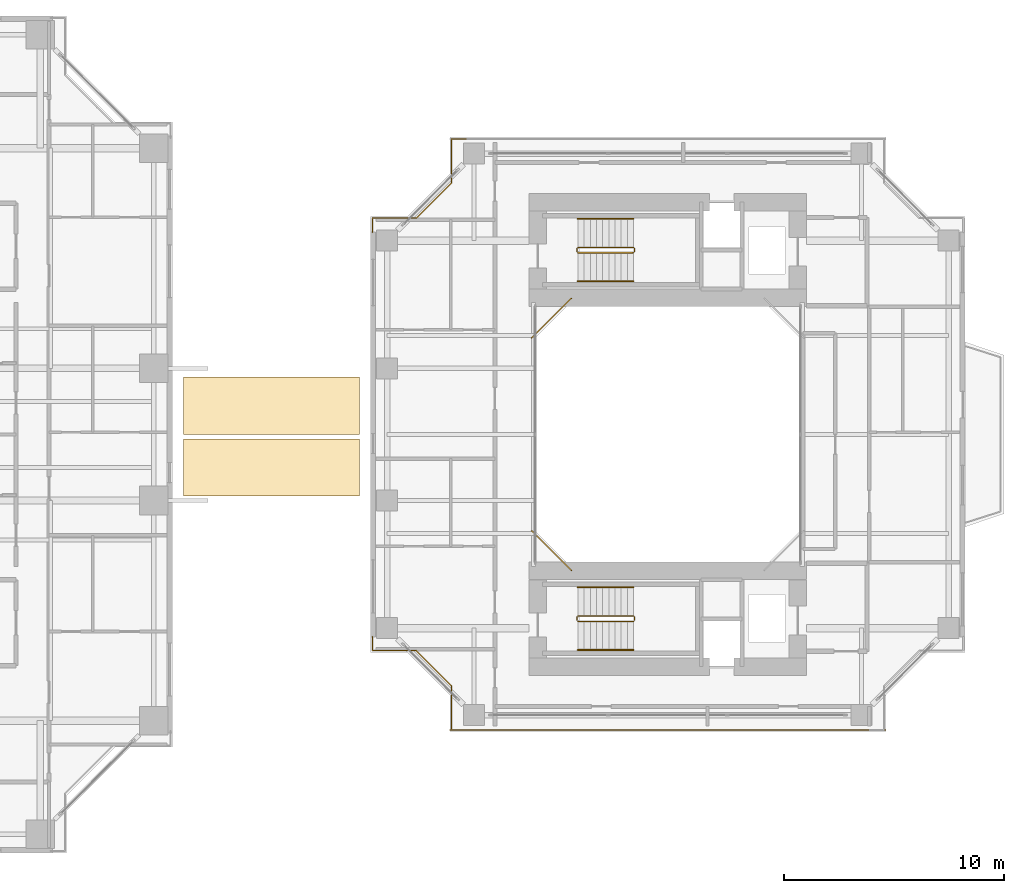
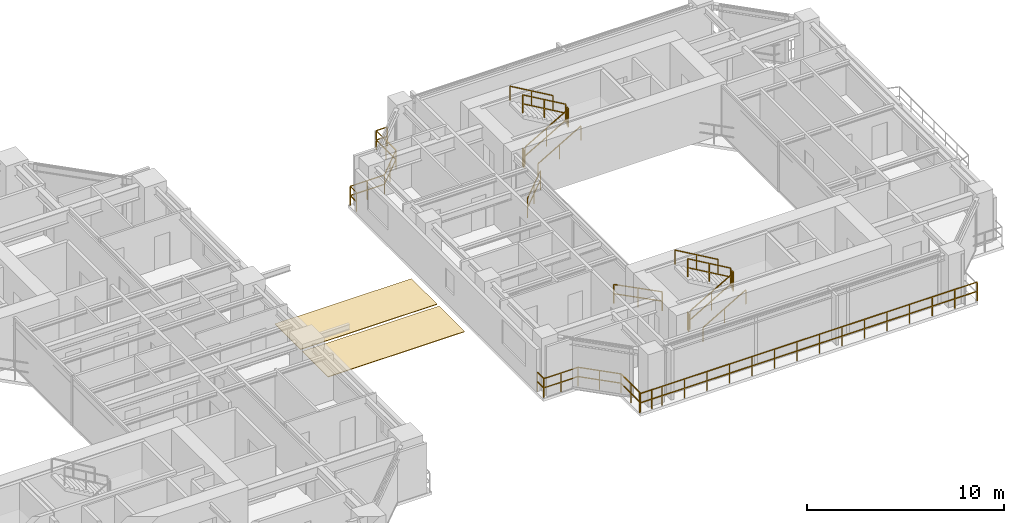
# One storey, part 21 of 23: 17 railings, 2 coverings.
"""IFC4 building model written with IfcOpenShell, lengths in metres."""

from ifc_helpers import new_model, si_unit, direction, frame, origin, origin_2d, place, context, subcontext, project, spatial, polyline, rectangle, outline, extrude, material, layer, layer_set, type_object, element, save


model = new_model("IFC4")

# Units and contexts
model_context = context("Model", 3, precision=1e-05, world=origin(), true_north=direction((0.0, 1.0)))
body_context = subcontext(model_context, "Body", "Model", "MODEL_VIEW")
ifc_project = project(units=[si_unit("LENGTHUNIT", "METRE"), si_unit("AREAUNIT", "SQUARE_METRE"), si_unit("VOLUMEUNIT", "CUBIC_METRE"), si_unit("PLANEANGLEUNIT", "RADIAN"), si_unit("MASSUNIT", "GRAM", prefix="KILO"), si_unit("THERMODYNAMICTEMPERATUREUNIT", "KELVIN"), si_unit("POWERUNIT", "WATT")], contexts=[model_context])

# Site, building, storey
site_placement = place(None, origin())
site = spatial("IfcSite", under=ifc_project, at=site_placement, CompositionType="ELEMENT")
building_placement = place(site_placement, origin())
building = spatial("IfcBuilding", under=site, at=building_placement, Name="Qiaomeng Ring Towers", CompositionType="ELEMENT")
storey_placement = place(building_placement, frame((0.0, 0.0, 50.25)))
storey = spatial("IfcBuildingStorey", under=building, at=storey_placement, Name="L13", CompositionType="ELEMENT", Elevation=50.25)

# Coverings
ifc_material_1 = material(Name="EPDM waterproofing membrane and XPS insulation", Category="membrane")
ifc_layer = layer(ifc_material_1, 0.0400390625, Name="EPDM waterproofing membrane and XPS insulation")
ifc_layer_set = layer_set([ifc_layer], Name="EPDM waterproofing membrane and XPS insulation")
covering_type = type_object("IfcCoveringType", Name="ARC-COV-ROOF", PredefinedType="ROOFING", material=ifc_layer_set)
covering_1_placement = place(storey_placement, origin())
element("IfcCovering", 1, at=covering_1_placement, inside=storey, type_object=covering_type, Name="Skybridge SB1 Roof Waterproofing 1", PredefinedType="ROOFING", context=body_context, shape_type="SweptSolid", body=[
    extrude(outline(polyline([(38.5, 20.199951171875), (46.5, 20.199951171875), (46.5, 22.800048828125), (38.5, 22.800048828125), (38.5, 20.199951171875)])), origin(), (0.0, 0.0, 1.0), 0.0400390625),
])
covering_2_placement = place(storey_placement, origin())
element("IfcCovering", 2, at=covering_2_placement, inside=storey, type_object=covering_type, Name="Skybridge SB1 Roof Waterproofing 2", PredefinedType="ROOFING", context=body_context, shape_type="SweptSolid", body=[
    extrude(outline(polyline([(38.5, 23.0), (46.5, 23.0), (46.5, 25.60009765625), (38.5, 25.60009765625), (38.5, 23.0)])), origin(), (0.0, 0.0, 1.0), 0.0400390625),
])

# Railings
ifc_material_2 = material(Name="Low-E pale-green laminated safety glass", Category="glass")
railing_type_1 = type_object("IfcRailingType", Name="ARC-RL-BAL1", PredefinedType="BALUSTRADE", material=ifc_material_2)
railing_1_placement = place(storey_placement, frame((56.1201171875, 29.179931640625, 0.0)))
element("IfcRailing", 3, at=railing_1_placement, inside=storey, type_object=railing_type_1, Name="L13 Balustrade ARC-BAL-WELL2-L13-3", PredefinedType="BALUSTRADE", context=body_context, shape_type="SweptSolid", body=[
    extrude(rectangle(XDim=0.048095703125, YDim=0.048095703125, at=origin_2d()), frame((0.0, 0.0, 1.17578125), z_axis=(-0.707106781187, -0.707106781187, 0.0), x_axis=(0.707106781187, -0.707106781187, 0.0)), (0.0, 0.0, 1.0), 2.545654296875),
    extrude(rectangle(XDim=0.048095703125, YDim=0.048095703125, at=origin_2d()), frame((0.0, 0.0, 0.60009765625), z_axis=(-0.707106781187, -0.707106781187, 0.0), x_axis=(0.707106781187, -0.707106781187, 0.0)), (0.0, 0.0, 1.0), 2.545654296875),
    extrude(rectangle(XDim=0.0419921875, YDim=0.0419921875, at=origin_2d()), origin(), (0.0, 0.0, 1.0), 1.15185546875),
    extrude(rectangle(XDim=0.0419921875, YDim=0.0419921875, at=origin_2d()), frame((-0.89990234375, -0.89990234375, 0.0)), (0.0, 0.0, 1.0), 1.15185546875),
    extrude(rectangle(XDim=0.0419921875, YDim=0.0419921875, at=origin_2d()), frame((-1.800048828125, -1.800048828125, 0.0)), (0.0, 0.0, 1.0), 1.15185546875),
])
railing_2_placement = place(storey_placement, frame((54.320068359375, 18.6201171875, 0.0)))
element("IfcRailing", 4, at=railing_2_placement, inside=storey, type_object=railing_type_1, Name="L13 Balustrade ARC-BAL-WELL2-L13-4", PredefinedType="BALUSTRADE", context=body_context, shape_type="SweptSolid", body=[
    extrude(rectangle(XDim=0.048095703125, YDim=0.048095703125, at=origin_2d()), frame((0.0, 0.0, 1.17578125), z_axis=(0.707106781187, -0.707106781187, 0.0), x_axis=(0.707106781187, 0.707106781187, 0.0)), (0.0, 0.0, 1.0), 2.545654296875),
    extrude(rectangle(XDim=0.048095703125, YDim=0.048095703125, at=origin_2d()), frame((0.0, 0.0, 0.60009765625), z_axis=(0.707106781187, -0.707106781187, 0.0), x_axis=(0.707106781187, 0.707106781187, 0.0)), (0.0, 0.0, 1.0), 2.545654296875),
    extrude(rectangle(XDim=0.0419921875, YDim=0.0419921875, at=origin_2d()), origin(), (0.0, 0.0, 1.0), 1.15185546875),
    extrude(rectangle(XDim=0.0419921875, YDim=0.0419921875, at=origin_2d()), frame((0.89990234375, -0.89990234375, 0.0)), (0.0, 0.0, 1.0), 1.15185546875),
    extrude(rectangle(XDim=0.0419921875, YDim=0.0419921875, at=origin_2d()), frame((1.800048828125, -1.800048828125, 0.0)), (0.0, 0.0, 1.0), 1.15185546875),
])
railing_3_placement = place(storey_placement, frame((51.330078125, 36.419921875, 0.0)))
element("IfcRailing", 5, at=railing_3_placement, inside=storey, type_object=railing_type_1, Name="L13 Balustrade ARC-BAL-NOTCH2-L13-NW", PredefinedType="BALUSTRADE", context=body_context, shape_type="SweptSolid", body=[
    extrude(rectangle(XDim=0.048095703125, YDim=0.048095703125, at=origin_2d()), frame((0.0, 0.0, 1.17578125), z_axis=(-1.0, 0.0, 0.0), x_axis=(0.0, -1.0, 0.0)), (0.0, 0.0, 1.0), 0.650146484375),
    extrude(rectangle(XDim=0.048095703125, YDim=0.048095703125, at=origin_2d()), frame((0.0, 0.0, 0.60009765625), z_axis=(-1.0, 0.0, 0.0), x_axis=(0.0, -1.0, 0.0)), (0.0, 0.0, 1.0), 0.650146484375),
    extrude(rectangle(XDim=0.048095703125, YDim=0.048095703125, at=origin_2d()), frame((-0.650146484375, 0.0, 1.17578125), z_axis=(0.0, -1.0, 0.0), x_axis=(1.0, 0.0, 0.0)), (0.0, 0.0, 1.0), 2.0),
    extrude(rectangle(XDim=0.048095703125, YDim=0.048095703125, at=origin_2d()), frame((-0.650146484375, 0.0, 0.60009765625), z_axis=(0.0, -1.0, 0.0), x_axis=(1.0, 0.0, 0.0)), (0.0, 0.0, 1.0), 2.0),
    extrude(rectangle(XDim=0.048095703125, YDim=0.048095703125, at=origin_2d()), frame((-0.650146484375, -2.0, 1.17578125), z_axis=(-0.707106781187, -0.707106781187, 0.0), x_axis=(0.707106781187, -0.707106781187, 0.0)), (0.0, 0.0, 1.0), 2.262451171875),
    extrude(rectangle(XDim=0.048095703125, YDim=0.048095703125, at=origin_2d()), frame((-0.650146484375, -2.0, 0.60009765625), z_axis=(-0.707106781187, -0.707106781187, 0.0), x_axis=(0.707106781187, -0.707106781187, 0.0)), (0.0, 0.0, 1.0), 2.262451171875),
    extrude(rectangle(XDim=0.048095703125, YDim=0.048095703125, at=origin_2d()), frame((-2.25, -3.599853515625, 1.17578125), z_axis=(-1.0, 0.0, 0.0), x_axis=(0.0, -1.0, 0.0)), (0.0, 0.0, 1.0), 2.0),
    extrude(rectangle(XDim=0.048095703125, YDim=0.048095703125, at=origin_2d()), frame((-2.25, -3.599853515625, 0.60009765625), z_axis=(-1.0, 0.0, 0.0), x_axis=(0.0, -1.0, 0.0)), (0.0, 0.0, 1.0), 2.0),
    extrude(rectangle(XDim=0.048095703125, YDim=0.048095703125, at=origin_2d()), frame((-4.25, -3.599853515625, 1.17578125), z_axis=(0.0, -1.0, 0.0), x_axis=(1.0, 0.0, 0.0)), (0.0, 0.0, 1.0), 0.650146484375),
    extrude(rectangle(XDim=0.048095703125, YDim=0.048095703125, at=origin_2d()), frame((-4.25, -3.599853515625, 0.60009765625), z_axis=(0.0, -1.0, 0.0), x_axis=(1.0, 0.0, 0.0)), (0.0, 0.0, 1.0), 0.650146484375),
    extrude(rectangle(XDim=0.0419921875, YDim=0.0419921875, at=origin_2d()), origin(), (0.0, 0.0, 1.0), 1.15185546875),
    extrude(rectangle(XDim=0.0419921875, YDim=0.0419921875, at=origin_2d()), frame((-0.650146484375, 0.0, 0.0)), (0.0, 0.0, 1.0), 1.15185546875),
    extrude(rectangle(XDim=0.0419921875, YDim=0.0419921875, at=origin_2d()), frame((-0.650146484375, -1.0, 0.0)), (0.0, 0.0, 1.0), 1.15185546875),
    extrude(rectangle(XDim=0.0419921875, YDim=0.0419921875, at=origin_2d()), frame((-0.650146484375, -2.0, 0.0)), (0.0, 0.0, 1.0), 1.15185546875),
    extrude(rectangle(XDim=0.0419921875, YDim=0.0419921875, at=origin_2d()), frame((-1.4501953125, -2.7998046875, 0.0)), (0.0, 0.0, 1.0), 1.15185546875),
    extrude(rectangle(XDim=0.0419921875, YDim=0.0419921875, at=origin_2d()), frame((-2.25, -3.599853515625, 0.0)), (0.0, 0.0, 1.0), 1.15185546875),
    extrude(rectangle(XDim=0.0419921875, YDim=0.0419921875, at=origin_2d()), frame((-3.25, -3.599853515625, 0.0)), (0.0, 0.0, 1.0), 1.15185546875),
    extrude(rectangle(XDim=0.0419921875, YDim=0.0419921875, at=origin_2d()), frame((-4.25, -3.599853515625, 0.0)), (0.0, 0.0, 1.0), 1.15185546875),
    extrude(rectangle(XDim=0.0419921875, YDim=0.0419921875, at=origin_2d()), frame((-4.25, -4.25, 0.0)), (0.0, 0.0, 1.0), 1.15185546875),
])
railing_4_placement = place(storey_placement, frame((47.080078125, 13.830078125, 0.0)))
element("IfcRailing", 6, at=railing_4_placement, inside=storey, type_object=railing_type_1, Name="L13 Balustrade ARC-BAL-NOTCH2-L13-SW", PredefinedType="BALUSTRADE", context=body_context, shape_type="SweptSolid", body=[
    extrude(rectangle(XDim=0.048095703125, YDim=0.048095703125, at=origin_2d()), frame((0.0, 0.0, 1.17578125), z_axis=(0.0, -1.0, 0.0), x_axis=(1.0, 0.0, 0.0)), (0.0, 0.0, 1.0), 0.650146484375),
    extrude(rectangle(XDim=0.048095703125, YDim=0.048095703125, at=origin_2d()), frame((0.0, 0.0, 0.60009765625), z_axis=(0.0, -1.0, 0.0), x_axis=(1.0, 0.0, 0.0)), (0.0, 0.0, 1.0), 0.650146484375),
    extrude(rectangle(XDim=0.048095703125, YDim=0.048095703125, at=origin_2d()), frame((0.0, -0.650146484375, 1.17578125), z_axis=(1.0, 0.0, 0.0), x_axis=(0.0, 1.0, 0.0)), (0.0, 0.0, 1.0), 2.0),
    extrude(rectangle(XDim=0.048095703125, YDim=0.048095703125, at=origin_2d()), frame((0.0, -0.650146484375, 0.60009765625), z_axis=(1.0, 0.0, 0.0), x_axis=(0.0, 1.0, 0.0)), (0.0, 0.0, 1.0), 2.0),
    extrude(rectangle(XDim=0.048095703125, YDim=0.048095703125, at=origin_2d()), frame((2.0, -0.650146484375, 1.17578125), z_axis=(0.707106781187, -0.707106781187, 0.0), x_axis=(0.707106781187, 0.707106781187, 0.0)), (0.0, 0.0, 1.0), 2.262451171875),
    extrude(rectangle(XDim=0.048095703125, YDim=0.048095703125, at=origin_2d()), frame((2.0, -0.650146484375, 0.60009765625), z_axis=(0.707106781187, -0.707106781187, 0.0), x_axis=(0.707106781187, 0.707106781187, 0.0)), (0.0, 0.0, 1.0), 2.262451171875),
    extrude(rectangle(XDim=0.048095703125, YDim=0.048095703125, at=origin_2d()), frame((3.599853515625, -2.25, 1.17578125), z_axis=(0.0, -1.0, 0.0), x_axis=(1.0, 0.0, 0.0)), (0.0, 0.0, 1.0), 2.0),
    extrude(rectangle(XDim=0.048095703125, YDim=0.048095703125, at=origin_2d()), frame((3.599853515625, -2.25, 0.60009765625), z_axis=(0.0, -1.0, 0.0), x_axis=(1.0, 0.0, 0.0)), (0.0, 0.0, 1.0), 2.0),
    extrude(rectangle(XDim=0.048095703125, YDim=0.048095703125, at=origin_2d()), frame((3.599853515625, -4.25, 1.17578125), z_axis=(1.0, 0.0, 0.0), x_axis=(0.0, 1.0, 0.0)), (0.0, 0.0, 1.0), 0.650146484375),
    extrude(rectangle(XDim=0.048095703125, YDim=0.048095703125, at=origin_2d()), frame((3.599853515625, -4.25, 0.60009765625), z_axis=(1.0, 0.0, 0.0), x_axis=(0.0, 1.0, 0.0)), (0.0, 0.0, 1.0), 0.650146484375),
    extrude(rectangle(XDim=0.0419921875, YDim=0.0419921875, at=origin_2d()), origin(), (0.0, 0.0, 1.0), 1.15185546875),
    extrude(rectangle(XDim=0.0419921875, YDim=0.0419921875, at=origin_2d()), frame((0.0, -0.650146484375, 0.0)), (0.0, 0.0, 1.0), 1.15185546875),
    extrude(rectangle(XDim=0.0419921875, YDim=0.0419921875, at=origin_2d()), frame((1.0, -0.650146484375, 0.0)), (0.0, 0.0, 1.0), 1.15185546875),
    extrude(rectangle(XDim=0.0419921875, YDim=0.0419921875, at=origin_2d()), frame((2.0, -0.650146484375, 0.0)), (0.0, 0.0, 1.0), 1.15185546875),
    extrude(rectangle(XDim=0.0419921875, YDim=0.0419921875, at=origin_2d()), frame((2.7998046875, -1.4501953125, 0.0)), (0.0, 0.0, 1.0), 1.15185546875),
    extrude(rectangle(XDim=0.0419921875, YDim=0.0419921875, at=origin_2d()), frame((3.599853515625, -2.25, 0.0)), (0.0, 0.0, 1.0), 1.15185546875),
    extrude(rectangle(XDim=0.0419921875, YDim=0.0419921875, at=origin_2d()), frame((3.599853515625, -3.25, 0.0)), (0.0, 0.0, 1.0), 1.15185546875),
    extrude(rectangle(XDim=0.0419921875, YDim=0.0419921875, at=origin_2d()), frame((3.599853515625, -4.25, 0.0)), (0.0, 0.0, 1.0), 1.15185546875),
    extrude(rectangle(XDim=0.0419921875, YDim=0.0419921875, at=origin_2d()), frame((4.25, -4.25, 0.0)), (0.0, 0.0, 1.0), 1.15185546875),
])
railing_5_placement = place(storey_placement, frame((50.60009765625, 9.580078125, 0.0)))
element("IfcRailing", 7, at=railing_5_placement, inside=storey, type_object=railing_type_1, Name="L13 Balustrade ARC-BAL-T2S-L13", PredefinedType="BALUSTRADE", context=body_context, shape_type="SweptSolid", body=[
    extrude(rectangle(XDim=0.048095703125, YDim=0.048095703125, at=origin_2d()), frame((0.0, 0.0, 1.17578125), z_axis=(1.0, 0.0, 0.0), x_axis=(0.0, 1.0, 0.0)), (0.0, 0.0, 1.0), 19.7998046875),
    extrude(rectangle(XDim=0.048095703125, YDim=0.048095703125, at=origin_2d()), frame((0.0, 0.0, 0.60009765625), z_axis=(1.0, 0.0, 0.0), x_axis=(0.0, 1.0, 0.0)), (0.0, 0.0, 1.0), 19.7998046875),
    extrude(rectangle(XDim=0.0419921875, YDim=0.0419921875, at=origin_2d()), origin(), (0.0, 0.0, 1.0), 1.15185546875),
    extrude(rectangle(XDim=0.0419921875, YDim=0.0419921875, at=origin_2d()), frame((1.320068359375, 0.0, 0.0)), (0.0, 0.0, 1.0), 1.15185546875),
    extrude(rectangle(XDim=0.0419921875, YDim=0.0419921875, at=origin_2d()), frame((2.639892578125, 0.0, 0.0)), (0.0, 0.0, 1.0), 1.15185546875),
    extrude(rectangle(XDim=0.0419921875, YDim=0.0419921875, at=origin_2d()), frame((3.9599609375, 0.0, 0.0)), (0.0, 0.0, 1.0), 1.15185546875),
    extrude(rectangle(XDim=0.0419921875, YDim=0.0419921875, at=origin_2d()), frame((5.280029296875, 0.0, 0.0)), (0.0, 0.0, 1.0), 1.15185546875),
    extrude(rectangle(XDim=0.0419921875, YDim=0.0419921875, at=origin_2d()), frame((6.599853515625, 0.0, 0.0)), (0.0, 0.0, 1.0), 1.15185546875),
    extrude(rectangle(XDim=0.0419921875, YDim=0.0419921875, at=origin_2d()), frame((7.919921875, 0.0, 0.0)), (0.0, 0.0, 1.0), 1.15185546875),
    extrude(rectangle(XDim=0.0419921875, YDim=0.0419921875, at=origin_2d()), frame((9.239990234375, 0.0, 0.0)), (0.0, 0.0, 1.0), 1.15185546875),
    extrude(rectangle(XDim=0.0419921875, YDim=0.0419921875, at=origin_2d()), frame((10.559814453125, 0.0, 0.0)), (0.0, 0.0, 1.0), 1.15185546875),
    extrude(rectangle(XDim=0.0419921875, YDim=0.0419921875, at=origin_2d()), frame((11.8798828125, 0.0, 0.0)), (0.0, 0.0, 1.0), 1.15185546875),
    extrude(rectangle(XDim=0.0419921875, YDim=0.0419921875, at=origin_2d()), frame((13.199951171875, 0.0, 0.0)), (0.0, 0.0, 1.0), 1.15185546875),
    extrude(rectangle(XDim=0.0419921875, YDim=0.0419921875, at=origin_2d()), frame((14.519775390625, 0.0, 0.0)), (0.0, 0.0, 1.0), 1.15185546875),
    extrude(rectangle(XDim=0.0419921875, YDim=0.0419921875, at=origin_2d()), frame((15.83984375, 0.0, 0.0)), (0.0, 0.0, 1.0), 1.15185546875),
    extrude(rectangle(XDim=0.0419921875, YDim=0.0419921875, at=origin_2d()), frame((17.159912109375, 0.0, 0.0)), (0.0, 0.0, 1.0), 1.15185546875),
    extrude(rectangle(XDim=0.0419921875, YDim=0.0419921875, at=origin_2d()), frame((18.479736328125, 0.0, 0.0)), (0.0, 0.0, 1.0), 1.15185546875),
    extrude(rectangle(XDim=0.0419921875, YDim=0.0419921875, at=origin_2d()), frame((19.7998046875, 0.0, 0.0)), (0.0, 0.0, 1.0), 1.15185546875),
])
ifc_material_3 = material(Name="Galvanised steel", Category="steel")
railing_type_2 = type_object("IfcRailingType", Name="ARC-RL-GUARD", PredefinedType="GUARDRAIL", material=ifc_material_3)
railing_6_placement = place(storey_placement, frame((56.419921875, 31.25, 0.16259765625)))
element("IfcRailing", 8, at=railing_6_placement, inside=storey, type_object=railing_type_2, Name="L13 ST5 stair guard 1", PredefinedType="GUARDRAIL", context=body_context, shape_type="SweptSolid", body=[
    extrude(rectangle(XDim=0.048095703125, YDim=0.048095703125, at=origin_2d()), frame((0.0, 0.0, 1.1259765625), z_axis=(0.864913338283, 0.0, 0.50192122615), x_axis=(0.0, 1.0, 0.0)), (0.0, 0.0, 1.0), 2.91357421875),
    extrude(rectangle(XDim=0.048095703125, YDim=0.048095703125, at=origin_2d()), frame((0.0, 0.0, 0.574951171875), z_axis=(0.864913338283, 0.0, 0.50192122615), x_axis=(0.0, 1.0, 0.0)), (0.0, 0.0, 1.0), 2.91357421875),
    extrude(rectangle(XDim=0.0419921875, YDim=0.0419921875, at=origin_2d()), origin(), (0.0, 0.0, 1.0), 1.101806640625),
    extrude(rectangle(XDim=0.0419921875, YDim=0.0419921875, at=origin_2d()), frame((1.260009765625, 0.0, 0.731201171875)), (0.0, 0.0, 1.0), 1.101806640625),
    extrude(rectangle(XDim=0.0419921875, YDim=0.0419921875, at=origin_2d()), frame((2.52001953125, 0.0, 1.46240234375)), (0.0, 0.0, 1.0), 1.101806640625),
])
railing_7_placement = place(storey_placement, frame((58.989990234375, 31.300048828125, 1.625)))
element("IfcRailing", 9, at=railing_7_placement, inside=storey, type_object=railing_type_2, Name="L13 ST5 stair guard 2", PredefinedType="GUARDRAIL", context=body_context, shape_type="SweptSolid", body=[
    extrude(rectangle(XDim=0.048095703125, YDim=0.048095703125, at=origin_2d()), frame((0.0, 0.0, 1.1259765625), z_axis=(0.0, 1.0, 0.0), x_axis=(-1.0, 0.0, 0.0)), (0.0, 0.0, 1.0), 0.139892578125),
    extrude(rectangle(XDim=0.048095703125, YDim=0.048095703125, at=origin_2d()), frame((0.0, 0.0, 0.574951171875), z_axis=(0.0, 1.0, 0.0), x_axis=(-1.0, 0.0, 0.0)), (0.0, 0.0, 1.0), 0.139892578125),
    extrude(rectangle(XDim=0.0419921875, YDim=0.0419921875, at=origin_2d()), origin(), (0.0, 0.0, 1.0), 1.101806640625),
    extrude(rectangle(XDim=0.0419921875, YDim=0.0419921875, at=origin_2d()), frame((0.0, 0.139892578125, 0.0)), (0.0, 0.0, 1.0), 1.101806640625),
])
railing_8_placement = place(storey_placement, frame((58.93994140625, 31.489990234375, 1.78759765625)))
element("IfcRailing", 10, at=railing_8_placement, inside=storey, type_object=railing_type_2, Name="L13 ST5 stair guard 3", PredefinedType="GUARDRAIL", context=body_context, shape_type="SweptSolid", body=[
    extrude(rectangle(XDim=0.048095703125, YDim=0.048095703125, at=origin_2d()), frame((0.0, 0.0, 1.1259765625), z_axis=(-0.864913338283, 0.0, 0.50192122615), x_axis=(0.0, -1.0, 0.0)), (0.0, 0.0, 1.0), 2.91357421875),
    extrude(rectangle(XDim=0.048095703125, YDim=0.048095703125, at=origin_2d()), frame((0.0, 0.0, 0.574951171875), z_axis=(-0.864913338283, 0.0, 0.50192122615), x_axis=(0.0, -1.0, 0.0)), (0.0, 0.0, 1.0), 2.91357421875),
    extrude(rectangle(XDim=0.0419921875, YDim=0.0419921875, at=origin_2d()), origin(), (0.0, 0.0, 1.0), 1.101806640625),
    extrude(rectangle(XDim=0.0419921875, YDim=0.0419921875, at=origin_2d()), frame((-1.260009765625, 0.0, 0.731201171875)), (0.0, 0.0, 1.0), 1.101806640625),
    extrude(rectangle(XDim=0.0419921875, YDim=0.0419921875, at=origin_2d()), frame((-2.52001953125, 0.0, 1.46240234375)), (0.0, 0.0, 1.0), 1.101806640625),
])
railing_9_placement = place(storey_placement, frame((56.3701171875, 31.300048828125, 0.0)))
element("IfcRailing", 11, at=railing_9_placement, inside=storey, type_object=railing_type_2, Name="L13 ST5 stair guard 4", PredefinedType="GUARDRAIL", context=body_context, shape_type="SweptSolid", body=[
    extrude(rectangle(XDim=0.048095703125, YDim=0.048095703125, at=origin_2d()), frame((0.0, 0.0, 1.1259765625), z_axis=(0.0, 1.0, 0.0), x_axis=(-1.0, 0.0, 0.0)), (0.0, 0.0, 1.0), 0.139892578125),
    extrude(rectangle(XDim=0.048095703125, YDim=0.048095703125, at=origin_2d()), frame((0.0, 0.0, 0.574951171875), z_axis=(0.0, 1.0, 0.0), x_axis=(-1.0, 0.0, 0.0)), (0.0, 0.0, 1.0), 0.139892578125),
    extrude(rectangle(XDim=0.0419921875, YDim=0.0419921875, at=origin_2d()), origin(), (0.0, 0.0, 1.0), 1.101806640625),
    extrude(rectangle(XDim=0.0419921875, YDim=0.0419921875, at=origin_2d()), frame((0.0, 0.139892578125, 0.0)), (0.0, 0.0, 1.0), 1.101806640625),
])
railing_10_placement = place(storey_placement, frame((56.419921875, 14.510009765625, 0.16259765625)))
element("IfcRailing", 12, at=railing_10_placement, inside=storey, type_object=railing_type_2, Name="L13 ST6 stair guard 1", PredefinedType="GUARDRAIL", context=body_context, shape_type="SweptSolid", body=[
    extrude(rectangle(XDim=0.048095703125, YDim=0.048095703125, at=origin_2d()), frame((0.0, 0.0, 1.1259765625), z_axis=(0.864913338283, 0.0, 0.50192122615), x_axis=(0.0, 1.0, 0.0)), (0.0, 0.0, 1.0), 2.91357421875),
    extrude(rectangle(XDim=0.048095703125, YDim=0.048095703125, at=origin_2d()), frame((0.0, 0.0, 0.574951171875), z_axis=(0.864913338283, 0.0, 0.50192122615), x_axis=(0.0, 1.0, 0.0)), (0.0, 0.0, 1.0), 2.91357421875),
    extrude(rectangle(XDim=0.0419921875, YDim=0.0419921875, at=origin_2d()), origin(), (0.0, 0.0, 1.0), 1.101806640625),
    extrude(rectangle(XDim=0.0419921875, YDim=0.0419921875, at=origin_2d()), frame((1.260009765625, 0.0, 0.731201171875)), (0.0, 0.0, 1.0), 1.101806640625),
    extrude(rectangle(XDim=0.0419921875, YDim=0.0419921875, at=origin_2d()), frame((2.52001953125, 0.0, 1.46240234375)), (0.0, 0.0, 1.0), 1.101806640625),
])
railing_11_placement = place(storey_placement, frame((58.989990234375, 14.56005859375, 1.625)))
element("IfcRailing", 13, at=railing_11_placement, inside=storey, type_object=railing_type_2, Name="L13 ST6 stair guard 2", PredefinedType="GUARDRAIL", context=body_context, shape_type="SweptSolid", body=[
    extrude(rectangle(XDim=0.048095703125, YDim=0.048095703125, at=origin_2d()), frame((0.0, 0.0, 1.1259765625), z_axis=(0.0, 1.0, 0.0), x_axis=(-1.0, 0.0, 0.0)), (0.0, 0.0, 1.0), 0.139892578125),
    extrude(rectangle(XDim=0.048095703125, YDim=0.048095703125, at=origin_2d()), frame((0.0, 0.0, 0.574951171875), z_axis=(0.0, 1.0, 0.0), x_axis=(-1.0, 0.0, 0.0)), (0.0, 0.0, 1.0), 0.139892578125),
    extrude(rectangle(XDim=0.0419921875, YDim=0.0419921875, at=origin_2d()), origin(), (0.0, 0.0, 1.0), 1.101806640625),
    extrude(rectangle(XDim=0.0419921875, YDim=0.0419921875, at=origin_2d()), frame((0.0, 0.139892578125, 0.0)), (0.0, 0.0, 1.0), 1.101806640625),
])
railing_12_placement = place(storey_placement, frame((58.93994140625, 14.75, 1.78759765625)))
element("IfcRailing", 14, at=railing_12_placement, inside=storey, type_object=railing_type_2, Name="L13 ST6 stair guard 3", PredefinedType="GUARDRAIL", context=body_context, shape_type="SweptSolid", body=[
    extrude(rectangle(XDim=0.048095703125, YDim=0.048095703125, at=origin_2d()), frame((0.0, 0.0, 1.1259765625), z_axis=(-0.864913338283, 0.0, 0.50192122615), x_axis=(0.0, -1.0, 0.0)), (0.0, 0.0, 1.0), 2.91357421875),
    extrude(rectangle(XDim=0.048095703125, YDim=0.048095703125, at=origin_2d()), frame((0.0, 0.0, 0.574951171875), z_axis=(-0.864913338283, 0.0, 0.50192122615), x_axis=(0.0, -1.0, 0.0)), (0.0, 0.0, 1.0), 2.91357421875),
    extrude(rectangle(XDim=0.0419921875, YDim=0.0419921875, at=origin_2d()), origin(), (0.0, 0.0, 1.0), 1.101806640625),
    extrude(rectangle(XDim=0.0419921875, YDim=0.0419921875, at=origin_2d()), frame((-1.260009765625, 0.0, 0.731201171875)), (0.0, 0.0, 1.0), 1.101806640625),
    extrude(rectangle(XDim=0.0419921875, YDim=0.0419921875, at=origin_2d()), frame((-2.52001953125, 0.0, 1.46240234375)), (0.0, 0.0, 1.0), 1.101806640625),
])
railing_13_placement = place(storey_placement, frame((56.3701171875, 14.56005859375, 0.0)))
element("IfcRailing", 15, at=railing_13_placement, inside=storey, type_object=railing_type_2, Name="L13 ST6 stair guard 4", PredefinedType="GUARDRAIL", context=body_context, shape_type="SweptSolid", body=[
    extrude(rectangle(XDim=0.048095703125, YDim=0.048095703125, at=origin_2d()), frame((0.0, 0.0, 1.1259765625), z_axis=(0.0, 1.0, 0.0), x_axis=(-1.0, 0.0, 0.0)), (0.0, 0.0, 1.0), 0.139892578125),
    extrude(rectangle(XDim=0.048095703125, YDim=0.048095703125, at=origin_2d()), frame((0.0, 0.0, 0.574951171875), z_axis=(0.0, 1.0, 0.0), x_axis=(-1.0, 0.0, 0.0)), (0.0, 0.0, 1.0), 0.139892578125),
    extrude(rectangle(XDim=0.0419921875, YDim=0.0419921875, at=origin_2d()), origin(), (0.0, 0.0, 1.0), 1.101806640625),
    extrude(rectangle(XDim=0.0419921875, YDim=0.0419921875, at=origin_2d()), frame((0.0, 0.139892578125, 0.0)), (0.0, 0.0, 1.0), 1.101806640625),
])
ifc_material_4 = material(Name="Stainless steel 316", Category="steel")
railing_type_3 = type_object("IfcRailingType", Name="ARC-RL-HAND", PredefinedType="HANDRAIL", material=ifc_material_4)
railing_14_placement = place(storey_placement, frame((56.419921875, 29.949951171875, 0.16259765625)))
element("IfcRailing", 16, at=railing_14_placement, inside=storey, type_object=railing_type_3, Name="L13 ST5 stair handrail 1", PredefinedType="HANDRAIL", context=body_context, shape_type="SweptSolid", body=[
    extrude(rectangle(XDim=0.048095703125, YDim=0.048095703125, at=origin_2d()), frame((0.0, 0.0, 0.8759765625), z_axis=(0.864913338283, 0.0, 0.50192122615), x_axis=(0.0, 1.0, 0.0)), (0.0, 0.0, 1.0), 2.91357421875),
    extrude(rectangle(XDim=0.0419921875, YDim=0.0419921875, at=origin_2d()), origin(), (0.0, 0.0, 1.0), 0.851806640625),
    extrude(rectangle(XDim=0.0419921875, YDim=0.0419921875, at=origin_2d()), frame((1.260009765625, 0.0, 0.731201171875)), (0.0, 0.0, 1.0), 0.851806640625),
    extrude(rectangle(XDim=0.0419921875, YDim=0.0419921875, at=origin_2d()), frame((2.52001953125, 0.0, 1.46240234375)), (0.0, 0.0, 1.0), 0.851806640625),
])
railing_15_placement = place(storey_placement, frame((58.93994140625, 32.7900390625, 1.78759765625)))
element("IfcRailing", 17, at=railing_15_placement, inside=storey, type_object=railing_type_3, Name="L13 ST5 stair handrail 2", PredefinedType="HANDRAIL", context=body_context, shape_type="SweptSolid", body=[
    extrude(rectangle(XDim=0.048095703125, YDim=0.048095703125, at=origin_2d()), frame((0.0, 0.0, 0.8759765625), z_axis=(-0.864913338283, 0.0, 0.50192122615), x_axis=(0.0, -1.0, 0.0)), (0.0, 0.0, 1.0), 2.91357421875),
    extrude(rectangle(XDim=0.0419921875, YDim=0.0419921875, at=origin_2d()), origin(), (0.0, 0.0, 1.0), 0.851806640625),
    extrude(rectangle(XDim=0.0419921875, YDim=0.0419921875, at=origin_2d()), frame((-1.260009765625, 0.0, 0.731201171875)), (0.0, 0.0, 1.0), 0.851806640625),
    extrude(rectangle(XDim=0.0419921875, YDim=0.0419921875, at=origin_2d()), frame((-2.52001953125, 0.0, 1.46240234375)), (0.0, 0.0, 1.0), 0.851806640625),
])
railing_16_placement = place(storey_placement, frame((56.419921875, 13.2099609375, 0.16259765625)))
element("IfcRailing", 18, at=railing_16_placement, inside=storey, type_object=railing_type_3, Name="L13 ST6 stair handrail 1", PredefinedType="HANDRAIL", context=body_context, shape_type="SweptSolid", body=[
    extrude(rectangle(XDim=0.048095703125, YDim=0.048095703125, at=origin_2d()), frame((0.0, 0.0, 0.8759765625), z_axis=(0.864913338283, 0.0, 0.50192122615), x_axis=(0.0, 1.0, 0.0)), (0.0, 0.0, 1.0), 2.91357421875),
    extrude(rectangle(XDim=0.0419921875, YDim=0.0419921875, at=origin_2d()), origin(), (0.0, 0.0, 1.0), 0.851806640625),
    extrude(rectangle(XDim=0.0419921875, YDim=0.0419921875, at=origin_2d()), frame((1.260009765625, 0.0, 0.731201171875)), (0.0, 0.0, 1.0), 0.851806640625),
    extrude(rectangle(XDim=0.0419921875, YDim=0.0419921875, at=origin_2d()), frame((2.52001953125, 0.0, 1.46240234375)), (0.0, 0.0, 1.0), 0.851806640625),
])
railing_17_placement = place(storey_placement, frame((58.93994140625, 16.050048828125, 1.78759765625)))
element("IfcRailing", 19, at=railing_17_placement, inside=storey, type_object=railing_type_3, Name="L13 ST6 stair handrail 2", PredefinedType="HANDRAIL", context=body_context, shape_type="SweptSolid", body=[
    extrude(rectangle(XDim=0.048095703125, YDim=0.048095703125, at=origin_2d()), frame((0.0, 0.0, 0.8759765625), z_axis=(-0.864913338283, 0.0, 0.50192122615), x_axis=(0.0, -1.0, 0.0)), (0.0, 0.0, 1.0), 2.91357421875),
    extrude(rectangle(XDim=0.0419921875, YDim=0.0419921875, at=origin_2d()), origin(), (0.0, 0.0, 1.0), 0.851806640625),
    extrude(rectangle(XDim=0.0419921875, YDim=0.0419921875, at=origin_2d()), frame((-1.260009765625, 0.0, 0.731201171875)), (0.0, 0.0, 1.0), 0.851806640625),
    extrude(rectangle(XDim=0.0419921875, YDim=0.0419921875, at=origin_2d()), frame((-2.52001953125, 0.0, 1.46240234375)), (0.0, 0.0, 1.0), 0.851806640625),
])

save(model, "model.ifc")
